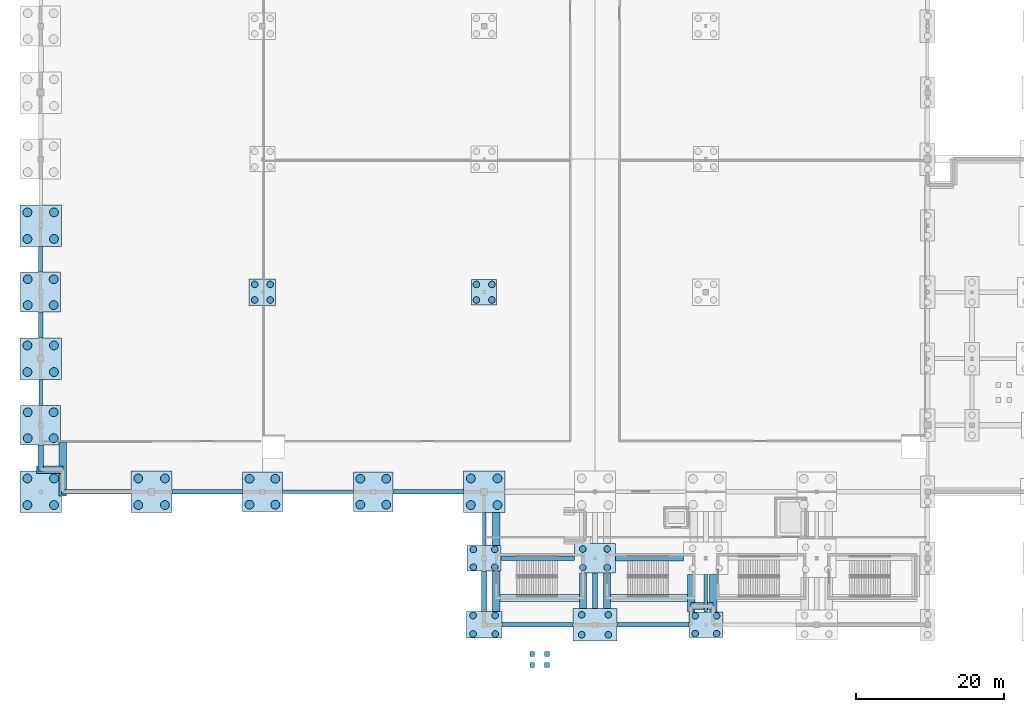
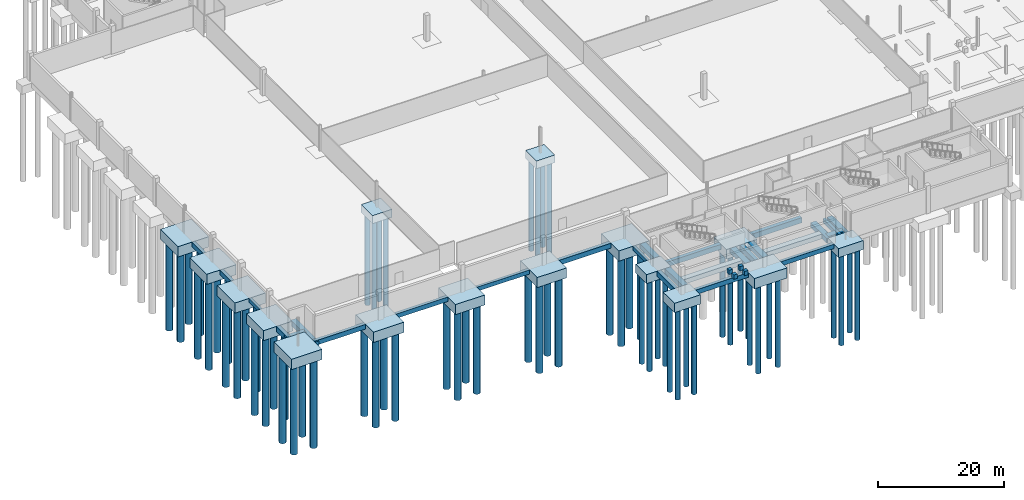
# One storey, part 1 of 58: 64 piles, 47 footings.
"""IFC4 building model written with IfcOpenShell, lengths in metres."""

import ifcopenshell
import ifcopenshell.guid

model = None  # the IFC model being written
_history = None  # IfcOwnerHistory: only IFC2X3 demands one
_inside = {}  # id of a spatial element -> (the spatial element, [elements in it])
_under = {}  # id of a project, library or spatial element -> (it, [spatial elements below it])
_declared = {}  # id of a project -> (the project, [libraries it declares])
_typed = {}  # id of a type object -> (the type object, [elements of that type])
_made_of = {}  # id of a material, layer set ... -> (it, [elements and type objects made of it])


def new_model(schema):
    """Start an empty IFC model of exactly this schema.

    Asked for "IFC4X3", IfcOpenShell would pick the latest addendum, in which some entities
    have other attributes; the version numbers below select the first issue.
    IFC2X3 requires an IfcOwnerHistory on every rooted entity: one is made here for all.
    """
    global model, _history
    if schema == "IFC4X3":
        model = ifcopenshell.file(schema_version=(4, 3, 0, 0))
    else:
        model = ifcopenshell.file(schema=schema)
    _inside.clear()
    _under.clear()
    _declared.clear()
    _typed.clear()
    _made_of.clear()
    _history = None
    if model.schema == "IFC2X3":
        org = make("IfcOrganization", Name="unknown")
        user = make(
            "IfcPersonAndOrganization",
            ThePerson=make("IfcPerson", FamilyName="unknown"),
            TheOrganization=org,
        )
        app = make(
            "IfcApplication",
            ApplicationDeveloper=org,
            Version="unknown",
            ApplicationFullName="unknown",
            ApplicationIdentifier="unknown",
        )
        _history = make(
            "IfcOwnerHistory",
            OwningUser=user,
            OwningApplication=app,
            ChangeAction="ADDED",
            CreationDate=0,
        )
    return model


def make(cls, **values):
    """One entity of the class cls with the attributes given. An attribute that is None is left unset."""
    return model.create_entity(
        cls, **{name: value for name, value in values.items() if value is not None}
    )


def rooted(cls, **values):
    """An entity with a GlobalId (a new one), such as an element, a storey or a relation."""
    return make(cls, GlobalId=ifcopenshell.guid.new(), OwnerHistory=_history, **values)


def si_unit(unit_type, name, prefix=None):
    """IfcSIUnit, for example si_unit("LENGTHUNIT", "METRE", prefix="MILLI")."""
    return make("IfcSIUnit", UnitType=unit_type, Prefix=prefix, Name=name)


def assignment(units):
    """IfcUnitAssignment: the units of a project."""
    return None if units is None else make("IfcUnitAssignment", Units=units)


def point(xyz):
    """IfcCartesianPoint."""
    return None if xyz is None else make("IfcCartesianPoint", Coordinates=xyz)


def direction(xyz):
    """IfcDirection."""
    return None if xyz is None else make("IfcDirection", DirectionRatios=xyz)


def frame(location, z_axis=None, x_axis=None):
    """IfcAxis2Placement3D, a coordinate frame: its origin and axes. An axis left out is left unset."""
    return make(
        "IfcAxis2Placement3D",
        Location=point(location),
        Axis=direction(z_axis),
        RefDirection=direction(x_axis),
    )


def frame_2d(location, x_axis=None):
    """IfcAxis2Placement2D, a coordinate frame in the plane: its origin and x axis."""
    return make(
        "IfcAxis2Placement2D", Location=point(location), RefDirection=direction(x_axis)
    )


def origin():
    """The frame at (0, 0, 0) with its axes left unset."""
    return frame((0.0, 0.0, 0.0))


def origin_2d():
    """The frame at (0, 0) in the plane with its x axis left unset."""
    return frame_2d((0.0, 0.0))


def place(relative_to, where):
    """IfcLocalPlacement: puts the frame where relative to a parent placement (None: the world)."""
    return make(
        "IfcLocalPlacement", PlacementRelTo=relative_to, RelativePlacement=where
    )


def context(
    kind, dimensions, precision=None, world=None, true_north=None, identifier=None
):
    """IfcGeometricRepresentationContext, for example the 3D "Model" context."""
    return make(
        "IfcGeometricRepresentationContext",
        ContextIdentifier=identifier,
        ContextType=kind,
        CoordinateSpaceDimension=dimensions,
        Precision=precision,
        WorldCoordinateSystem=world,
        TrueNorth=true_north,
    )


def subcontext(parent, identifier, kind, view, scale=None):
    """IfcGeometricRepresentationSubContext, for example "Body" below "Model"."""
    return make(
        "IfcGeometricRepresentationSubContext",
        ContextIdentifier=identifier,
        ContextType=kind,
        ParentContext=parent,
        TargetScale=scale,
        TargetView=view,
    )


def project(units=None, contexts=None):
    """IfcProject with its units and contexts."""
    return rooted(
        "IfcProject",
        Name="project",
        RepresentationContexts=contexts,
        UnitsInContext=assignment(units),
    )


def spatial(cls, under=None, at=None, **own):
    """A site, building, storey or space (cls), placed at a placement, below another one or the project."""
    s = rooted(cls, ObjectPlacement=at, **own)
    if under is not None:
        _under.setdefault(under.id(), (under, []))[1].append(s)
    return s


def profile(cls, at=None, kind="AREA", **sizes):
    """A parametric profile (cls). Its sizes go by their IFC names, for example OverallWidth=200.0."""
    return make(cls, ProfileType=kind, Position=at, **sizes)


def rectangle(**sizes):
    """IfcRectangleProfileDef."""
    return profile("IfcRectangleProfileDef", **sizes)


def circle(**sizes):
    """IfcCircleProfileDef."""
    return profile("IfcCircleProfileDef", **sizes)


def extrude(swept, where, along, depth):
    """IfcExtrudedAreaSolid: the profile swept, set in the frame where, extruded along a direction by depth."""
    return make(
        "IfcExtrudedAreaSolid",
        SweptArea=swept,
        Position=where,
        ExtrudedDirection=direction(along),
        Depth=depth,
    )


def shape(context_of_items, identifier, shape_type, items):
    """IfcShapeRepresentation: the items that make up one representation, for example the "Body"."""
    return make(
        "IfcShapeRepresentation",
        ContextOfItems=context_of_items,
        RepresentationIdentifier=identifier,
        RepresentationType=shape_type,
        Items=items,
    )


def material(Name=None, Category=None):
    """IfcMaterial."""
    return make("IfcMaterial", Name=Name, Category=Category)


def material_profile(
    of_material, cross_section, Name=None, Category=None, Priority=None
):
    """IfcMaterialProfile: a cross section and its material."""
    return make(
        "IfcMaterialProfile",
        Name=Name,
        Material=of_material,
        Profile=cross_section,
        Priority=Priority,
        Category=Category,
    )


def profile_set(profiles, Name=None, composite=None):
    """IfcMaterialProfileSet."""
    return make(
        "IfcMaterialProfileSet",
        Name=Name,
        MaterialProfiles=profiles,
        CompositeProfile=composite,
    )


def made_of(thing, what):
    """Note that an element or type object is made of a material, layer set ...; save() writes the relation."""
    if what is not None:
        _made_of.setdefault(what.id(), (what, []))[1].append(thing)
    return thing


def type_object(cls, material=None, **own):
    """A type object (cls), such as IfcWallType, which elements share."""
    return made_of(rooted(cls, **own), material)


def element(
    cls,
    number,
    at=None,
    inside=None,
    cuts=None,
    type_object=None,
    material=None,
    context=None,
    identifier="Body",
    shape_type=None,
    held_by="IfcProductDefinitionShape",
    body=None,
    shapes=None,
    **own,
):
    """One element of the class cls, such as IfcWall. Its Tag is "e" and its number.

    at: its placement. inside: the storey or other place that contains it. cuts: it is an
    opening in that element (IfcRelVoidsElement). A single representation is given by context,
    identifier, shape_type and body (its items); several are given by shapes. held_by: the class
    of the entity that holds the representations. save() writes the other relations.
    """
    e = rooted(cls, Tag="e%d" % number, ObjectPlacement=at, **own)
    if body is not None:
        shapes = [shape(context, identifier, shape_type, body)]
    if shapes is not None:
        e.Representation = make(held_by, Representations=shapes)
    if inside is not None:
        _inside.setdefault(inside.id(), (inside, []))[1].append(e)
    if cuts is not None:
        rooted(
            "IfcRelVoidsElement", RelatingBuildingElement=cuts, RelatedOpeningElement=e
        )
    if type_object is not None:
        _typed.setdefault(type_object.id(), (type_object, []))[1].append(e)
    return made_of(e, material)


def aggregate(whole, parts):
    """IfcRelAggregates: a whole, such as a stair, and the parts it consists of."""
    return rooted("IfcRelAggregates", RelatingObject=whole, RelatedObjects=parts)


def save(model, path):
    """Write the relations noted so far, then the file.

    IfcRelAggregates (storeys below a building ...), IfcRelContainedInSpatialStructure (elements
    in a storey), IfcRelDefinesByType, IfcRelAssociatesMaterial and IfcRelDeclares: one each for
    every whole, place, type object, material and project.
    """
    for whole, parts in _under.values():
        aggregate(whole, parts)
    for where, things in _inside.values():
        rooted(
            "IfcRelContainedInSpatialStructure",
            RelatedElements=things,
            RelatingStructure=where,
        )
    for kind, things in _typed.values():
        rooted("IfcRelDefinesByType", RelatedObjects=things, RelatingType=kind)
    for what, things in _made_of.values():
        rooted("IfcRelAssociatesMaterial", RelatedObjects=things, RelatingMaterial=what)
    for by, libraries in _declared.values():
        rooted("IfcRelDeclares", RelatingContext=by, RelatedDefinitions=libraries)
    model.write(path)


model = new_model("IFC4")

# Units and contexts
model_context = context("Model", 3, precision=1e-05, world=origin(), true_north=direction((0.0, 1.0)))
body_context = subcontext(model_context, "Body", "Model", "MODEL_VIEW")
ifc_project = project(units=[si_unit("LENGTHUNIT", "METRE"), si_unit("AREAUNIT", "SQUARE_METRE"), si_unit("VOLUMEUNIT", "CUBIC_METRE"), si_unit("PLANEANGLEUNIT", "RADIAN"), si_unit("MASSUNIT", "GRAM", prefix="KILO")], contexts=[model_context])

# Site, building, storey
site_placement = place(None, origin())
site = spatial("IfcSite", under=ifc_project, at=site_placement, CompositionType="ELEMENT")
building_placement = place(site_placement, origin())
building = spatial("IfcBuilding", under=site, at=building_placement, Name="Qamarlyn Nura Convention Centre", CompositionType="ELEMENT")
storey_placement = place(building_placement, frame((0.0, 0.0, -5.39990234375)))
storey = spatial("IfcBuildingStorey", under=building, at=storey_placement, Name="B01", CompositionType="ELEMENT", Elevation=-5.39990234375)

# Footings
ifc_material = material(Name="Concrete C40/50", Category="concrete")
ifc_material_profile_1 = material_profile(ifc_material, rectangle(XDim=0.449951171875, YDim=0.75, at=origin_2d()), Name="RC GB 450x750")
ifc_profile_set_1 = profile_set([ifc_material_profile_1], Name="Concrete C40/50")
footing_type_1 = type_object("IfcFootingType", Name="GB-450X750", PredefinedType="FOOTING_BEAM", material=ifc_profile_set_1)
footing_1_placement = place(storey_placement, frame((0.0, 29.699951171875, -0.375), z_axis=(0.0, 1.0, 0.0), x_axis=(-1.0, 0.0, 0.0)))
element("IfcFooting", 1, at=footing_1_placement, inside=storey, type_object=footing_type_1, Name="Ground tie beam 1 D-E", PredefinedType="FOOTING_BEAM", context=body_context, shape_type="SweptSolid", body=[
    extrude(rectangle(XDim=0.449951171875, YDim=0.75, at=origin_2d()), origin(), (0.0, 0.0, 1.0), 3.5),
])
footing_2_placement = place(storey_placement, frame((60.0, 10.699951171875, -0.375), z_axis=(0.0, 1.0, 0.0), x_axis=(-1.0, 0.0, 0.0)))
element("IfcFooting", 2, at=footing_2_placement, inside=storey, type_object=footing_type_1, Name="Ground tie beam 5 B-C", PredefinedType="FOOTING_BEAM", context=body_context, shape_type="SweptSolid", body=[
    extrude(rectangle(XDim=0.449951171875, YDim=0.75, at=origin_2d()), origin(), (0.0, 0.0, 1.0), 4.5),
])
ifc_material_profile_2 = material_profile(ifc_material, rectangle(XDim=0.5, YDim=0.800048828125, at=origin_2d()), Name="RC GB 500x800")
ifc_profile_set_2 = profile_set([ifc_material_profile_2], Name="Concrete C40/50")
footing_type_2 = type_object("IfcFootingType", Name="GB-500X800", PredefinedType="FOOTING_BEAM", material=ifc_profile_set_2)
footing_3_placement = place(storey_placement, frame((32.699951171875, 18.0, -0.400146484375), z_axis=(1.0, 0.0, 0.0), x_axis=(0.0, 1.0, 0.0)))
element("IfcFooting", 3, at=footing_3_placement, inside=storey, type_object=footing_type_2, Name="Ground tie beam C 3-4", PredefinedType="FOOTING_BEAM", context=body_context, shape_type="SweptSolid", body=[
    extrude(rectangle(XDim=0.5, YDim=0.800048828125, at=origin_2d()), origin(), (0.0, 0.0, 1.0), 9.60009765625),
])
footing_4_placement = place(storey_placement, frame((90.0, 1.699951171875, -0.400146484375), z_axis=(0.0, 1.0, 0.0), x_axis=(-1.0, 0.0, 0.0)))
element("IfcFooting", 4, at=footing_4_placement, inside=storey, type_object=footing_type_2, Name="Ground tie beam 7 A-B", PredefinedType="FOOTING_BEAM", context=body_context, shape_type="SweptSolid", body=[
    extrude(rectangle(XDim=0.5, YDim=0.800048828125, at=origin_2d()), origin(), (0.0, 0.0, 1.0), 5.10009765625),
])
ifc_material_profile_3 = material_profile(ifc_material, rectangle(XDim=0.550048828125, YDim=0.85009765625, at=origin_2d()), Name="RC GB 550x850")
ifc_profile_set_3 = profile_set([ifc_material_profile_3], Name="Concrete C40/50")
footing_type_3 = type_object("IfcFootingType", Name="GB-550X850", PredefinedType="FOOTING_BEAM", material=ifc_profile_set_3)
footing_5_placement = place(storey_placement, frame((78.0, 0.0, -0.425048828125), z_axis=(1.0, 0.0, 0.0), x_axis=(0.0, 1.0, 0.0)))
element("IfcFooting", 5, at=footing_5_placement, inside=storey, type_object=footing_type_3, Name="Ground tie beam A 6-7", PredefinedType="FOOTING_BEAM", context=body_context, shape_type="SweptSolid", body=[
    extrude(rectangle(XDim=0.550048828125, YDim=0.85009765625, at=origin_2d()), origin(), (0.0, 0.0, 1.0), 9.699951171875),
])
footing_6_placement = place(storey_placement, frame((17.800048828125, 18.0, -0.425048828125), z_axis=(1.0, 0.0, 0.0), x_axis=(0.0, 1.0, 0.0)))
element("IfcFooting", 6, at=footing_6_placement, inside=storey, type_object=footing_type_3, Name="Ground tie beam C 2-3", PredefinedType="FOOTING_BEAM", context=body_context, shape_type="SweptSolid", body=[
    extrude(rectangle(XDim=0.550048828125, YDim=0.85009765625, at=origin_2d()), origin(), (0.0, 0.0, 1.0), 9.5),
])
footing_7_placement = place(storey_placement, frame((0.0, 47.699951171875, -0.425048828125), z_axis=(0.0, 1.0, 0.0), x_axis=(-1.0, 0.0, 0.0)))
element("IfcFooting", 7, at=footing_7_placement, inside=storey, type_object=footing_type_3, Name="Ground tie beam 1 F-G", PredefinedType="FOOTING_BEAM", context=body_context, shape_type="SweptSolid", body=[
    extrude(rectangle(XDim=0.550048828125, YDim=0.85009765625, at=origin_2d()), origin(), (0.0, 0.0, 1.0), 3.5),
])
ifc_material_profile_4 = material_profile(ifc_material, rectangle(XDim=0.60009765625, YDim=0.89990234375, at=origin_2d()), Name="RC GB 600x900")
ifc_profile_set_4 = profile_set([ifc_material_profile_4], Name="Concrete C40/50")
footing_type_4 = type_object("IfcFootingType", Name="GB-600X900", PredefinedType="FOOTING_BEAM", material=ifc_profile_set_4)
footing_8_placement = place(storey_placement, frame((62.39990234375, 0.0, -0.4501953125), z_axis=(1.0, 0.0, 0.0), x_axis=(0.0, 1.0, 0.0)))
element("IfcFooting", 8, at=footing_8_placement, inside=storey, type_object=footing_type_4, Name="Ground tie beam A 5-6", PredefinedType="FOOTING_BEAM", context=body_context, shape_type="SweptSolid", body=[
    extrude(rectangle(XDim=0.60009765625, YDim=0.89990234375, at=origin_2d()), origin(), (0.0, 0.0, 1.0), 9.60009765625),
])
footing_9_placement = place(storey_placement, frame((2.800048828125, 18.0, -0.4501953125), z_axis=(1.0, 0.0, 0.0), x_axis=(0.0, 1.0, 0.0)))
element("IfcFooting", 9, at=footing_9_placement, inside=storey, type_object=footing_type_4, Name="Ground tie beam C 1-2", PredefinedType="FOOTING_BEAM", context=body_context, shape_type="SweptSolid", body=[
    extrude(rectangle(XDim=0.60009765625, YDim=0.89990234375, at=origin_2d()), origin(), (0.0, 0.0, 1.0), 9.39990234375),
])
footing_10_placement = place(storey_placement, frame((0.0, 38.800048828125, -0.4501953125), z_axis=(0.0, 1.0, 0.0), x_axis=(-1.0, 0.0, 0.0)))
element("IfcFooting", 10, at=footing_10_placement, inside=storey, type_object=footing_type_4, Name="Ground tie beam 1 E-F", PredefinedType="FOOTING_BEAM", context=body_context, shape_type="SweptSolid", body=[
    extrude(rectangle(XDim=0.60009765625, YDim=0.89990234375, at=origin_2d()), origin(), (0.0, 0.0, 1.0), 3.5),
])
ifc_material_profile_5 = material_profile(ifc_material, rectangle(XDim=0.64990234375, YDim=0.949951171875, at=origin_2d()), Name="RC GB 650x950")
ifc_profile_set_5 = profile_set([ifc_material_profile_5], Name="Concrete C40/50")
footing_type_5 = type_object("IfcFootingType", Name="GB-650X950", PredefinedType="FOOTING_BEAM", material=ifc_profile_set_5)
footing_11_placement = place(storey_placement, frame((62.300048828125, 9.0, -0.47509765625), z_axis=(1.0, 0.0, 0.0), x_axis=(0.0, 1.0, 0.0)))
element("IfcFooting", 11, at=footing_11_placement, inside=storey, type_object=footing_type_5, Name="Ground tie beam B 5-6", PredefinedType="FOOTING_BEAM", context=body_context, shape_type="SweptSolid", body=[
    extrude(rectangle(XDim=0.64990234375, YDim=0.949951171875, at=origin_2d()), origin(), (0.0, 0.0, 1.0), 9.89990234375),
])
footing_12_placement = place(storey_placement, frame((47.699951171875, 18.0, -0.47509765625), z_axis=(1.0, 0.0, 0.0), x_axis=(0.0, 1.0, 0.0)))
element("IfcFooting", 12, at=footing_12_placement, inside=storey, type_object=footing_type_5, Name="Ground tie beam C 4-5", PredefinedType="FOOTING_BEAM", context=body_context, shape_type="SweptSolid", body=[
    extrude(rectangle(XDim=0.64990234375, YDim=0.949951171875, at=origin_2d()), origin(), (0.0, 0.0, 1.0), 9.5),
])
footing_13_placement = place(storey_placement, frame((75.0, 2.199951171875, -0.47509765625), z_axis=(0.0, 1.0, 0.0), x_axis=(-1.0, 0.0, 0.0)))
element("IfcFooting", 13, at=footing_13_placement, inside=storey, type_object=footing_type_5, Name="Ground tie beam 6 A-B", PredefinedType="FOOTING_BEAM", context=body_context, shape_type="SweptSolid", body=[
    extrude(rectangle(XDim=0.64990234375, YDim=0.949951171875, at=origin_2d()), origin(), (0.0, 0.0, 1.0), 4.800048828125),
])
ifc_material_profile_6 = material_profile(ifc_material, rectangle(XDim=0.699951171875, YDim=1.0, at=origin_2d()), Name="RC GB 700x1000")
ifc_profile_set_6 = profile_set([ifc_material_profile_6], Name="Concrete C40/50")
footing_type_6 = type_object("IfcFootingType", Name="GB-700X1000", PredefinedType="FOOTING_BEAM", material=ifc_profile_set_6)
footing_14_placement = place(storey_placement, frame((77.800048828125, 9.0, -0.5), z_axis=(1.0, 0.0, 0.0), x_axis=(0.0, 1.0, 0.0)))
element("IfcFooting", 14, at=footing_14_placement, inside=storey, type_object=footing_type_6, Name="Ground tie beam B 6-7", PredefinedType="FOOTING_BEAM", context=body_context, shape_type="SweptSolid", body=[
    extrude(rectangle(XDim=0.699951171875, YDim=1.0, at=origin_2d()), origin(), (0.0, 0.0, 1.0), 9.199951171875),
])
footing_15_placement = place(storey_placement, frame((0.0, 20.800048828125, -0.5), z_axis=(0.0, 1.0, 0.0), x_axis=(-1.0, 0.0, 0.0)))
element("IfcFooting", 15, at=footing_15_placement, inside=storey, type_object=footing_type_6, Name="Ground tie beam 1 C-D", PredefinedType="FOOTING_BEAM", context=body_context, shape_type="SweptSolid", body=[
    extrude(rectangle(XDim=0.699951171875, YDim=1.0, at=origin_2d()), origin(), (0.0, 0.0, 1.0), 3.5),
])
footing_16_placement = place(storey_placement, frame((60.0, 1.800048828125, -0.5), z_axis=(0.0, 1.0, 0.0), x_axis=(-1.0, 0.0, 0.0)))
element("IfcFooting", 16, at=footing_16_placement, inside=storey, type_object=footing_type_6, Name="Ground tie beam 5 A-B", PredefinedType="FOOTING_BEAM", context=body_context, shape_type="SweptSolid", body=[
    extrude(rectangle(XDim=0.699951171875, YDim=1.0, at=origin_2d()), origin(), (0.0, 0.0, 1.0), 5.5),
])
footing_type_7 = type_object("IfcFootingType", Name="PC-CORE-56X40", PredefinedType="PILE_CAP", material=ifc_material)
footing_17_placement = place(storey_placement, frame((75.0, 9.0, -1.900146484375), z_axis=(0.0, 0.0, 1.0), x_axis=(1.0, 0.0, 0.0)))
element("IfcFooting", 17, at=footing_17_placement, inside=storey, type_object=footing_type_7, Name="Pile cap CAP-6-B", PredefinedType="PILE_CAP", context=body_context, shape_type="SweptSolid", body=[
    extrude(rectangle(XDim=5.60009765625, YDim=4.0, at=origin_2d()), origin(), (0.0, 0.0, 1.0), 1.89990234375),
])
footing_type_8 = type_object("IfcFootingType", Name="PC-CORE-60X44", PredefinedType="PILE_CAP", material=ifc_material)
footing_18_placement = place(storey_placement, frame((75.0, 0.0, -2.0), z_axis=(0.0, 0.0, 1.0), x_axis=(1.0, 0.0, 0.0)))
element("IfcFooting", 18, at=footing_18_placement, inside=storey, type_object=footing_type_8, Name="Pile cap CAP-6-A", PredefinedType="PILE_CAP", context=body_context, shape_type="SweptSolid", body=[
    extrude(rectangle(XDim=6.0, YDim=4.39990234375, at=origin_2d()), origin(), (0.0, 0.0, 1.0), 2.0),
])
footing_type_9 = type_object("IfcFootingType", Name="PC-MEGA-54", PredefinedType="PILE_CAP", material=ifc_material)
for number, where, z_axis, x_axis, name in (
    (19, (0.0, 27.0, -1.9501953125), (0.0, 0.0, 1.0), (1.0, 0.0, 0.0), "Pile cap CAP-1-D"),
    (20, (0.0, 45.0, -1.9501953125), (0.0, 0.0, 1.0), (1.0, 0.0, 0.0), "Pile cap CAP-1-F"),
    (21, (30.0, 18.0, -1.9501953125), (0.0, 0.0, 1.0), (1.0, 0.0, 0.0), "Pile cap CAP-3-C"),
    (22, (45.0, 18.0, -1.9501953125), (0.0, 0.0, 1.0), (1.0, 0.0, 0.0), "Pile cap CAP-4-C"),
):
    element("IfcFooting", number, at=place(storey_placement, frame(where, z_axis=z_axis, x_axis=x_axis)), inside=storey, type_object=footing_type_9, Name=name, PredefinedType="PILE_CAP", context=body_context, shape_type="SweptSolid", body=[
        extrude(rectangle(XDim=5.39990234375, YDim=5.39990234375, at=origin_2d()), origin(), (0.0, 0.0, 1.0), 1.949951171875),
    ])
footing_type_10 = type_object("IfcFootingType", Name="PC-MEGA-56", PredefinedType="PILE_CAP", material=ifc_material)
for number, where, z_axis, x_axis, name in (
    (23, (0.0, 18.0, -2.0), (0.0, 0.0, 1.0), (1.0, 0.0, 0.0), "Pile cap CAP-1-C"),
    (24, (0.0, 36.0, -2.0), (0.0, 0.0, 1.0), (1.0, 0.0, 0.0), "Pile cap CAP-1-E"),
    (25, (0.0, 54.0, -2.0), (0.0, 0.0, 1.0), (1.0, 0.0, 0.0), "Pile cap CAP-1-G"),
    (26, (15.0, 18.0, -2.0), (0.0, 0.0, 1.0), (1.0, 0.0, 0.0), "Pile cap CAP-2-C"),
    (27, (60.0, 18.0, -2.0), (0.0, 0.0, 1.0), (1.0, 0.0, 0.0), "Pile cap CAP-5-C"),
):
    element("IfcFooting", number, at=place(storey_placement, frame(where, z_axis=z_axis, x_axis=x_axis)), inside=storey, type_object=footing_type_10, Name=name, PredefinedType="PILE_CAP", context=body_context, shape_type="SweptSolid", body=[
        extrude(rectangle(XDim=5.60009765625, YDim=5.60009765625, at=origin_2d()), origin(), (0.0, 0.0, 1.0), 2.0),
    ])
footing_type_11 = type_object("IfcFootingType", Name="PC-RECT-46X34", PredefinedType="PILE_CAP", material=ifc_material)
for number, where, z_axis, x_axis, name in (
    (28, (60.0, 9.0, -1.75), (0.0, 0.0, 1.0), (1.0, 0.0, 0.0), "Pile cap CAP-5-B"),
    (29, (90.0, 0.0, -1.75), (0.0, 0.0, 1.0), (1.0, 0.0, 0.0), "Pile cap CAP-7-A"),
):
    element("IfcFooting", number, at=place(storey_placement, frame(where, z_axis=z_axis, x_axis=x_axis)), inside=storey, type_object=footing_type_11, Name=name, PredefinedType="PILE_CAP", context=body_context, shape_type="SweptSolid", body=[
        extrude(rectangle(XDim=4.60009765625, YDim=3.39990234375, at=origin_2d()), origin(), (0.0, 0.0, 1.0), 1.75),
    ])
footing_type_12 = type_object("IfcFootingType", Name="PC-RECT-48X36", PredefinedType="PILE_CAP", material=ifc_material)
footing_19_placement = place(storey_placement, frame((60.0, 0.0, -1.80029296875), z_axis=(0.0, 0.0, 1.0), x_axis=(1.0, 0.0, 0.0)))
element("IfcFooting", 30, at=footing_19_placement, inside=storey, type_object=footing_type_12, Name="Pile cap CAP-5-A", PredefinedType="PILE_CAP", context=body_context, shape_type="SweptSolid", body=[
    extrude(rectangle(XDim=4.800048828125, YDim=3.60009765625, at=origin_2d()), origin(), (0.0, 0.0, 1.0), 1.800048828125),
])
footing_type_13 = type_object("IfcFootingType", Name="PC-SUB-34X34", PredefinedType="PILE_CAP", material=ifc_material)
footing_20_placement = place(storey_placement, frame((60.0, 45.0, -1.5), z_axis=(0.0, 0.0, 1.0), x_axis=(1.0, 0.0, 0.0)))
element("IfcFooting", 31, at=footing_20_placement, inside=storey, type_object=footing_type_13, Name="Pile cap CAP-5-F", PredefinedType="PILE_CAP", context=body_context, shape_type="SweptSolid", body=[
    extrude(rectangle(XDim=3.39990234375, YDim=3.39990234375, at=origin_2d()), origin(), (0.0, 0.0, 1.0), 1.5),
])
footing_type_14 = type_object("IfcFootingType", Name="PC-SUB-36X36", PredefinedType="PILE_CAP", material=ifc_material)
footing_21_placement = place(storey_placement, frame((30.0, 45.0, -1.55029296875), z_axis=(0.0, 0.0, 1.0), x_axis=(1.0, 0.0, 0.0)))
element("IfcFooting", 32, at=footing_21_placement, inside=storey, type_object=footing_type_14, Name="Pile cap CAP-3-F", PredefinedType="PILE_CAP", context=body_context, shape_type="SweptSolid", body=[
    extrude(rectangle(XDim=3.60009765625, YDim=3.60009765625, at=origin_2d()), origin(), (0.0, 0.0, 1.0), 1.550048828125),
])
footing_type_15 = type_object("IfcFootingType", Name="PF-RAMP-070", PredefinedType="PAD_FOOTING", material=ifc_material)
for number, where, z_axis, x_axis, name in (
    (33, (66.5, -5.449951171875, 4.0498046875), (0.0, 0.0, 1.0), (1.0, 0.0, 0.0), "Entrance ramp corner pad footing PR-03-1"),
    (34, (68.5, -5.449951171875, 4.0498046875), (0.0, 0.0, 1.0), (1.0, 0.0, 0.0), "Entrance ramp corner pad footing PR-03-2"),
    (35, (66.5, -3.949951171875, 4.0498046875), (0.0, 0.0, 1.0), (1.0, 0.0, 0.0), "Entrance ramp corner pad footing PR-03-3"),
    (36, (68.5, -3.949951171875, 4.0498046875), (0.0, 0.0, 1.0), (1.0, 0.0, 0.0), "Entrance ramp corner pad footing PR-03-4"),
):
    element("IfcFooting", number, at=place(storey_placement, frame(where, z_axis=z_axis, x_axis=x_axis)), inside=storey, type_object=footing_type_15, Name=name, PredefinedType="PAD_FOOTING", context=body_context, shape_type="SweptSolid", body=[
        extrude(rectangle(XDim=0.64990234375, YDim=0.64990234375, at=origin_2d()), origin(), (0.0, 0.0, 1.0), 0.85009765625),
    ])

# Piles
ifc_material_profile_7 = material_profile(ifc_material, circle(Radius=0.60009765625, at=origin_2d()), Name="BORED PILE 1200")
ifc_profile_set_7 = profile_set([ifc_material_profile_7], Name="Concrete C40/50")
pile_type_1 = type_object("IfcPileType", Name="PILE-1200", PredefinedType="BORED", material=ifc_profile_set_7)
for number, where, z_axis, x_axis, name in (
    (37, (-1.800048828125, 16.199951171875, -1.85009765625), (0.0, 0.0, -1.0), (1.0, 0.0, 0.0), "Bored pile PILE-1-C-1"),
    (38, (1.800048828125, 16.199951171875, -1.85009765625), (0.0, 0.0, -1.0), (1.0, 0.0, 0.0), "Bored pile PILE-1-C-2"),
    (39, (-1.800048828125, 19.800048828125, -1.85009765625), (0.0, 0.0, -1.0), (1.0, 0.0, 0.0), "Bored pile PILE-1-C-3"),
    (40, (1.800048828125, 19.800048828125, -1.85009765625), (0.0, 0.0, -1.0), (1.0, 0.0, 0.0), "Bored pile PILE-1-C-4"),
):
    element("IfcPile", number, at=place(storey_placement, frame(where, z_axis=z_axis, x_axis=x_axis)), inside=storey, type_object=pile_type_1, Name=name, PredefinedType="BORED", context=body_context, shape_type="SweptSolid", body=[
        extrude(circle(Radius=0.60009765625, at=origin_2d()), origin(), (0.0, 0.0, 1.0), 17.25),
    ])
for number, where, z_axis, x_axis, name in (
    (41, (-1.75, 25.25, -1.800048828125), (0.0, 0.0, -1.0), (1.0, 0.0, 0.0), "Bored pile PILE-1-D-1"),
    (42, (1.75, 25.25, -1.800048828125), (0.0, 0.0, -1.0), (1.0, 0.0, 0.0), "Bored pile PILE-1-D-2"),
    (43, (-1.75, 28.75, -1.800048828125), (0.0, 0.0, -1.0), (1.0, 0.0, 0.0), "Bored pile PILE-1-D-3"),
    (44, (1.75, 28.75, -1.800048828125), (0.0, 0.0, -1.0), (1.0, 0.0, 0.0), "Bored pile PILE-1-D-4"),
):
    element("IfcPile", number, at=place(storey_placement, frame(where, z_axis=z_axis, x_axis=x_axis)), inside=storey, type_object=pile_type_1, Name=name, PredefinedType="BORED", context=body_context, shape_type="SweptSolid", body=[
        extrude(circle(Radius=0.60009765625, at=origin_2d()), origin(), (0.0, 0.0, 1.0), 17.300048828125),
    ])
for number, where, z_axis, x_axis, name in (
    (45, (-1.800048828125, 34.199951171875, -1.85009765625), (0.0, 0.0, -1.0), (1.0, 0.0, 0.0), "Bored pile PILE-1-E-1"),
    (46, (1.800048828125, 34.199951171875, -1.85009765625), (0.0, 0.0, -1.0), (1.0, 0.0, 0.0), "Bored pile PILE-1-E-2"),
    (47, (-1.800048828125, 37.800048828125, -1.85009765625), (0.0, 0.0, -1.0), (1.0, 0.0, 0.0), "Bored pile PILE-1-E-3"),
    (48, (1.800048828125, 37.800048828125, -1.85009765625), (0.0, 0.0, -1.0), (1.0, 0.0, 0.0), "Bored pile PILE-1-E-4"),
):
    element("IfcPile", number, at=place(storey_placement, frame(where, z_axis=z_axis, x_axis=x_axis)), inside=storey, type_object=pile_type_1, Name=name, PredefinedType="BORED", context=body_context, shape_type="SweptSolid", body=[
        extrude(circle(Radius=0.60009765625, at=origin_2d()), origin(), (0.0, 0.0, 1.0), 17.25),
    ])
for number, where, z_axis, x_axis, name in (
    (49, (-1.75, 43.25, -1.800048828125), (0.0, 0.0, -1.0), (1.0, 0.0, 0.0), "Bored pile PILE-1-F-1"),
    (50, (1.75, 43.25, -1.800048828125), (0.0, 0.0, -1.0), (1.0, 0.0, 0.0), "Bored pile PILE-1-F-2"),
    (51, (-1.75, 46.75, -1.800048828125), (0.0, 0.0, -1.0), (1.0, 0.0, 0.0), "Bored pile PILE-1-F-3"),
    (52, (1.75, 46.75, -1.800048828125), (0.0, 0.0, -1.0), (1.0, 0.0, 0.0), "Bored pile PILE-1-F-4"),
):
    element("IfcPile", number, at=place(storey_placement, frame(where, z_axis=z_axis, x_axis=x_axis)), inside=storey, type_object=pile_type_1, Name=name, PredefinedType="BORED", context=body_context, shape_type="SweptSolid", body=[
        extrude(circle(Radius=0.60009765625, at=origin_2d()), origin(), (0.0, 0.0, 1.0), 17.300048828125),
    ])
for number, where, z_axis, x_axis, name in (
    (53, (-1.800048828125, 52.199951171875, -1.85009765625), (0.0, 0.0, -1.0), (1.0, 0.0, 0.0), "Bored pile PILE-1-G-1"),
    (54, (1.800048828125, 52.199951171875, -1.85009765625), (0.0, 0.0, -1.0), (1.0, 0.0, 0.0), "Bored pile PILE-1-G-2"),
    (55, (-1.800048828125, 55.800048828125, -1.85009765625), (0.0, 0.0, -1.0), (1.0, 0.0, 0.0), "Bored pile PILE-1-G-3"),
    (56, (1.800048828125, 55.800048828125, -1.85009765625), (0.0, 0.0, -1.0), (1.0, 0.0, 0.0), "Bored pile PILE-1-G-4"),
    (57, (13.199951171875, 16.199951171875, -1.85009765625), (0.0, 0.0, -1.0), (1.0, 0.0, 0.0), "Bored pile PILE-2-C-1"),
    (58, (16.800048828125, 16.199951171875, -1.85009765625), (0.0, 0.0, -1.0), (1.0, 0.0, 0.0), "Bored pile PILE-2-C-2"),
    (59, (13.199951171875, 19.800048828125, -1.85009765625), (0.0, 0.0, -1.0), (1.0, 0.0, 0.0), "Bored pile PILE-2-C-3"),
    (60, (16.800048828125, 19.800048828125, -1.85009765625), (0.0, 0.0, -1.0), (1.0, 0.0, 0.0), "Bored pile PILE-2-C-4"),
):
    element("IfcPile", number, at=place(storey_placement, frame(where, z_axis=z_axis, x_axis=x_axis)), inside=storey, type_object=pile_type_1, Name=name, PredefinedType="BORED", context=body_context, shape_type="SweptSolid", body=[
        extrude(circle(Radius=0.60009765625, at=origin_2d()), origin(), (0.0, 0.0, 1.0), 17.25),
    ])
for number, where, z_axis, x_axis, name in (
    (61, (28.25, 16.25, -1.800048828125), (0.0, 0.0, -1.0), (1.0, 0.0, 0.0), "Bored pile PILE-3-C-1"),
    (62, (31.75, 16.25, -1.800048828125), (0.0, 0.0, -1.0), (1.0, 0.0, 0.0), "Bored pile PILE-3-C-2"),
    (63, (28.25, 19.75, -1.800048828125), (0.0, 0.0, -1.0), (1.0, 0.0, 0.0), "Bored pile PILE-3-C-3"),
    (64, (31.75, 19.75, -1.800048828125), (0.0, 0.0, -1.0), (1.0, 0.0, 0.0), "Bored pile PILE-3-C-4"),
    (65, (43.25, 16.25, -1.800048828125), (0.0, 0.0, -1.0), (1.0, 0.0, 0.0), "Bored pile PILE-4-C-1"),
    (66, (46.75, 16.25, -1.800048828125), (0.0, 0.0, -1.0), (1.0, 0.0, 0.0), "Bored pile PILE-4-C-2"),
    (67, (43.25, 19.75, -1.800048828125), (0.0, 0.0, -1.0), (1.0, 0.0, 0.0), "Bored pile PILE-4-C-3"),
    (68, (46.75, 19.75, -1.800048828125), (0.0, 0.0, -1.0), (1.0, 0.0, 0.0), "Bored pile PILE-4-C-4"),
):
    element("IfcPile", number, at=place(storey_placement, frame(where, z_axis=z_axis, x_axis=x_axis)), inside=storey, type_object=pile_type_1, Name=name, PredefinedType="BORED", context=body_context, shape_type="SweptSolid", body=[
        extrude(circle(Radius=0.60009765625, at=origin_2d()), origin(), (0.0, 0.0, 1.0), 17.300048828125),
    ])
for number, where, z_axis, x_axis, name in (
    (69, (58.199951171875, 16.199951171875, -1.85009765625), (0.0, 0.0, -1.0), (1.0, 0.0, 0.0), "Bored pile PILE-5-C-1"),
    (70, (61.800048828125, 16.199951171875, -1.85009765625), (0.0, 0.0, -1.0), (1.0, 0.0, 0.0), "Bored pile PILE-5-C-2"),
    (71, (58.199951171875, 19.800048828125, -1.85009765625), (0.0, 0.0, -1.0), (1.0, 0.0, 0.0), "Bored pile PILE-5-C-3"),
    (72, (61.800048828125, 19.800048828125, -1.85009765625), (0.0, 0.0, -1.0), (1.0, 0.0, 0.0), "Bored pile PILE-5-C-4"),
):
    element("IfcPile", number, at=place(storey_placement, frame(where, z_axis=z_axis, x_axis=x_axis)), inside=storey, type_object=pile_type_1, Name=name, PredefinedType="BORED", context=body_context, shape_type="SweptSolid", body=[
        extrude(circle(Radius=0.60009765625, at=origin_2d()), origin(), (0.0, 0.0, 1.0), 17.25),
    ])
ifc_material_profile_8 = material_profile(ifc_material, circle(Radius=0.449951171875, at=origin_2d()), Name="BORED PILE 900")
ifc_profile_set_8 = profile_set([ifc_material_profile_8], Name="Concrete C40/50")
pile_type_2 = type_object("IfcPileType", Name="PILE-900", PredefinedType="BORED", material=ifc_profile_set_8)
for number, where, z_axis, x_axis, name in (
    (73, (28.949951171875, 43.949951171875, -1.400146484375), (0.0, 0.0, -1.0), (1.0, 0.0, 0.0), "Bored pile PILE-3-F-1"),
    (74, (31.050048828125, 43.949951171875, -1.400146484375), (0.0, 0.0, -1.0), (1.0, 0.0, 0.0), "Bored pile PILE-3-F-2"),
    (75, (28.949951171875, 46.050048828125, -1.400146484375), (0.0, 0.0, -1.0), (1.0, 0.0, 0.0), "Bored pile PILE-3-F-3"),
    (76, (31.050048828125, 46.050048828125, -1.400146484375), (0.0, 0.0, -1.0), (1.0, 0.0, 0.0), "Bored pile PILE-3-F-4"),
):
    element("IfcPile", number, at=place(storey_placement, frame(where, z_axis=z_axis, x_axis=x_axis)), inside=storey, type_object=pile_type_2, Name=name, PredefinedType="BORED", context=body_context, shape_type="SweptSolid", body=[
        extrude(circle(Radius=0.449951171875, at=origin_2d()), origin(), (0.0, 0.0, 1.0), 17.699951171875),
    ])
for number, where, z_axis, x_axis, name in (
    (77, (58.5, -1.25, -1.650146484375), (0.0, 0.0, -1.0), (1.0, 0.0, 0.0), "Bored pile PILE-5-A-1"),
    (78, (61.5, -1.25, -1.650146484375), (0.0, 0.0, -1.0), (1.0, 0.0, 0.0), "Bored pile PILE-5-A-2"),
    (79, (58.5, 1.25, -1.650146484375), (0.0, 0.0, -1.0), (1.0, 0.0, 0.0), "Bored pile PILE-5-A-3"),
    (80, (61.5, 1.25, -1.650146484375), (0.0, 0.0, -1.0), (1.0, 0.0, 0.0), "Bored pile PILE-5-A-4"),
):
    element("IfcPile", number, at=place(storey_placement, frame(where, z_axis=z_axis, x_axis=x_axis)), inside=storey, type_object=pile_type_2, Name=name, PredefinedType="BORED", context=body_context, shape_type="SweptSolid", body=[
        extrude(circle(Radius=0.449951171875, at=origin_2d()), origin(), (0.0, 0.0, 1.0), 17.449951171875),
    ])
for number, where, z_axis, x_axis, name in (
    (81, (58.550048828125, 7.800048828125, -1.60009765625), (0.0, 0.0, -1.0), (1.0, 0.0, 0.0), "Bored pile PILE-5-B-1"),
    (82, (61.449951171875, 7.800048828125, -1.60009765625), (0.0, 0.0, -1.0), (1.0, 0.0, 0.0), "Bored pile PILE-5-B-2"),
    (83, (58.550048828125, 10.199951171875, -1.60009765625), (0.0, 0.0, -1.0), (1.0, 0.0, 0.0), "Bored pile PILE-5-B-3"),
    (84, (61.449951171875, 10.199951171875, -1.60009765625), (0.0, 0.0, -1.0), (1.0, 0.0, 0.0), "Bored pile PILE-5-B-4"),
):
    element("IfcPile", number, at=place(storey_placement, frame(where, z_axis=z_axis, x_axis=x_axis)), inside=storey, type_object=pile_type_2, Name=name, PredefinedType="BORED", context=body_context, shape_type="SweptSolid", body=[
        extrude(circle(Radius=0.449951171875, at=origin_2d()), origin(), (0.0, 0.0, 1.0), 17.5),
    ])
for number, where, z_axis, x_axis, name in (
    (85, (58.949951171875, 43.949951171875, -1.35009765625), (0.0, 0.0, -1.0), (1.0, 0.0, 0.0), "Bored pile PILE-5-F-1"),
    (86, (61.050048828125, 43.949951171875, -1.35009765625), (0.0, 0.0, -1.0), (1.0, 0.0, 0.0), "Bored pile PILE-5-F-2"),
    (87, (58.949951171875, 46.050048828125, -1.35009765625), (0.0, 0.0, -1.0), (1.0, 0.0, 0.0), "Bored pile PILE-5-F-3"),
    (88, (61.050048828125, 46.050048828125, -1.35009765625), (0.0, 0.0, -1.0), (1.0, 0.0, 0.0), "Bored pile PILE-5-F-4"),
):
    element("IfcPile", number, at=place(storey_placement, frame(where, z_axis=z_axis, x_axis=x_axis)), inside=storey, type_object=pile_type_2, Name=name, PredefinedType="BORED", context=body_context, shape_type="SweptSolid", body=[
        extrude(circle(Radius=0.449951171875, at=origin_2d()), origin(), (0.0, 0.0, 1.0), 17.75),
    ])
for number, where, z_axis, x_axis, name in (
    (89, (73.199951171875, -1.35009765625, -1.85009765625), (0.0, 0.0, -1.0), (1.0, 0.0, 0.0), "Bored pile PILE-6-A-1"),
    (90, (76.800048828125, -1.35009765625, -1.85009765625), (0.0, 0.0, -1.0), (1.0, 0.0, 0.0), "Bored pile PILE-6-A-2"),
    (91, (73.199951171875, 1.35009765625, -1.85009765625), (0.0, 0.0, -1.0), (1.0, 0.0, 0.0), "Bored pile PILE-6-A-3"),
    (92, (76.800048828125, 1.35009765625, -1.85009765625), (0.0, 0.0, -1.0), (1.0, 0.0, 0.0), "Bored pile PILE-6-A-4"),
):
    element("IfcPile", number, at=place(storey_placement, frame(where, z_axis=z_axis, x_axis=x_axis)), inside=storey, type_object=pile_type_2, Name=name, PredefinedType="BORED", context=body_context, shape_type="SweptSolid", body=[
        extrude(circle(Radius=0.449951171875, at=origin_2d()), origin(), (0.0, 0.0, 1.0), 17.25),
    ])
for number, where, z_axis, x_axis, name in (
    (93, (73.35009765625, 7.75, -1.75), (0.0, 0.0, -1.0), (1.0, 0.0, 0.0), "Bored pile PILE-6-B-1"),
    (94, (76.64990234375, 7.75, -1.75), (0.0, 0.0, -1.0), (1.0, 0.0, 0.0), "Bored pile PILE-6-B-2"),
    (95, (73.35009765625, 10.25, -1.75), (0.0, 0.0, -1.0), (1.0, 0.0, 0.0), "Bored pile PILE-6-B-3"),
    (96, (76.64990234375, 10.25, -1.75), (0.0, 0.0, -1.0), (1.0, 0.0, 0.0), "Bored pile PILE-6-B-4"),
):
    element("IfcPile", number, at=place(storey_placement, frame(where, z_axis=z_axis, x_axis=x_axis)), inside=storey, type_object=pile_type_2, Name=name, PredefinedType="BORED", context=body_context, shape_type="SweptSolid", body=[
        extrude(circle(Radius=0.449951171875, at=origin_2d()), origin(), (0.0, 0.0, 1.0), 17.35009765625),
    ])
for number, where, z_axis, x_axis, name in (
    (97, (88.550048828125, -1.199951171875, -1.60009765625), (0.0, 0.0, -1.0), (1.0, 0.0, 0.0), "Bored pile PILE-7-A-1"),
    (98, (91.449951171875, -1.199951171875, -1.60009765625), (0.0, 0.0, -1.0), (1.0, 0.0, 0.0), "Bored pile PILE-7-A-2"),
    (99, (88.550048828125, 1.199951171875, -1.60009765625), (0.0, 0.0, -1.0), (1.0, 0.0, 0.0), "Bored pile PILE-7-A-3"),
    (100, (91.449951171875, 1.199951171875, -1.60009765625), (0.0, 0.0, -1.0), (1.0, 0.0, 0.0), "Bored pile PILE-7-A-4"),
):
    element("IfcPile", number, at=place(storey_placement, frame(where, z_axis=z_axis, x_axis=x_axis)), inside=storey, type_object=pile_type_2, Name=name, PredefinedType="BORED", context=body_context, shape_type="SweptSolid", body=[
        extrude(circle(Radius=0.449951171875, at=origin_2d()), origin(), (0.0, 0.0, 1.0), 17.5),
    ])

# Footings
ifc_material_profile_9 = material_profile(ifc_material, rectangle(XDim=1.0, YDim=0.89990234375, at=origin_2d()), Name="RC STRIP 1000x900")
ifc_profile_set_9 = profile_set([ifc_material_profile_9], Name="Concrete C40/50")
footing_type_16 = type_object("IfcFootingType", Name="SF-WALL-1000", PredefinedType="STRIP_FOOTING", material=ifc_profile_set_9)
footing_22_placement = place(storey_placement, frame((3.0, 17.449951171875, -0.4501953125), z_axis=(0.0, 1.0, 0.0), x_axis=(-1.0, 0.0, 0.0)))
element("IfcFooting", 101, at=footing_22_placement, inside=storey, type_object=footing_type_16, Name="Strip footing WRET-B01-01-1", PredefinedType="STRIP_FOOTING", context=body_context, shape_type="SweptSolid", body=[
    extrude(rectangle(XDim=1.0, YDim=0.89990234375, at=origin_2d()), origin(), (0.0, 0.0, 1.0), 7.213623046875),
])
footing_23_placement = place(storey_placement, frame((3.0, 21.0, -0.4501953125), z_axis=(-1.0, 0.0, 0.0), x_axis=(0.0, -1.0, 0.0)))
element("IfcFooting", 102, at=footing_23_placement, inside=storey, type_object=footing_type_16, Name="Strip footing WRET-B01-02-1", PredefinedType="STRIP_FOOTING", context=body_context, shape_type="SweptSolid", body=[
    extrude(rectangle(XDim=1.0, YDim=0.89990234375, at=origin_2d()), origin(), (0.0, 0.0, 1.0), 3.550048828125),
])
footing_24_placement = place(storey_placement, frame((91.0, 1.699951171875, -0.4501953125), z_axis=(0.0, 1.0, 0.0), x_axis=(-1.0, 0.0, 0.0)))
element("IfcFooting", 103, at=footing_24_placement, inside=storey, type_object=footing_type_16, Name="Strip footing WRET-B01-94-1", PredefinedType="STRIP_FOOTING", context=body_context, shape_type="SweptSolid", body=[
    extrude(rectangle(XDim=1.0, YDim=0.89990234375, at=origin_2d()), origin(), (0.0, 0.0, 1.0), 5.10009765625),
])
footing_25_placement = place(storey_placement, frame((91.0, 2.5, -0.4501953125), z_axis=(-1.0, 0.0, 0.0), x_axis=(0.0, -1.0, 0.0)))
element("IfcFooting", 104, at=footing_25_placement, inside=storey, type_object=footing_type_16, Name="Strip footing WRET-B01-95-1", PredefinedType="STRIP_FOOTING", context=body_context, shape_type="SweptSolid", body=[
    extrude(rectangle(XDim=1.0, YDim=0.89990234375, at=origin_2d()), origin(), (0.0, 0.0, 1.0), 3.0),
])
footing_26_placement = place(storey_placement, frame((88.0, 6.800048828125, -0.4501953125), z_axis=(0.0, -1.0, 0.0), x_axis=(1.0, 0.0, 0.0)))
element("IfcFooting", 105, at=footing_26_placement, inside=storey, type_object=footing_type_16, Name="Strip footing WRET-B01-96-1", PredefinedType="STRIP_FOOTING", context=body_context, shape_type="SweptSolid", body=[
    extrude(rectangle(XDim=1.0, YDim=0.89990234375, at=origin_2d()), origin(), (0.0, 0.0, 1.0), 5.10009765625),
])
footing_27_placement = place(storey_placement, frame((61.449951171875, 3.625, -0.4501953125), z_axis=(1.0, 0.0, 0.0), x_axis=(0.0, 1.0, 0.0)))
element("IfcFooting", 106, at=footing_27_placement, inside=storey, type_object=footing_type_16, Name="Strip footing WST-ST-05-B01-S-1", PredefinedType="STRIP_FOOTING", context=body_context, shape_type="SweptSolid", body=[
    extrude(rectangle(XDim=1.0, YDim=0.89990234375, at=origin_2d()), origin(), (0.0, 0.0, 1.0), 12.10009765625),
])
footing_28_placement = place(storey_placement, frame((61.625, 15.199951171875, -0.4501953125), z_axis=(0.0, -1.0, 0.0), x_axis=(1.0, 0.0, 0.0)))
element("IfcFooting", 107, at=footing_28_placement, inside=storey, type_object=footing_type_16, Name="Strip footing WST-ST-05-B01-W-1", PredefinedType="STRIP_FOOTING", context=body_context, shape_type="SweptSolid", body=[
    extrude(rectangle(XDim=1.0, YDim=0.89990234375, at=origin_2d()), origin(), (0.0, 0.0, 1.0), 4.5),
])
footing_29_placement = place(storey_placement, frame((61.625, 7.300048828125, -0.4501953125), z_axis=(0.0, -1.0, 0.0), x_axis=(1.0, 0.0, 0.0)))
element("IfcFooting", 108, at=footing_29_placement, inside=storey, type_object=footing_type_16, Name="Strip footing WST-ST-05-B01-W-2", PredefinedType="STRIP_FOOTING", context=body_context, shape_type="SweptSolid", body=[
    extrude(rectangle(XDim=1.0, YDim=0.89990234375, at=origin_2d()), origin(), (0.0, 0.0, 1.0), 5.5),
])
footing_30_placement = place(storey_placement, frame((73.375, 2.199951171875, -0.4501953125), z_axis=(0.0, 1.0, 0.0), x_axis=(-1.0, 0.0, 0.0)))
element("IfcFooting", 109, at=footing_30_placement, inside=storey, type_object=footing_type_16, Name="Strip footing WST-ST-05-B01-E-1", PredefinedType="STRIP_FOOTING", context=body_context, shape_type="SweptSolid", body=[
    extrude(rectangle(XDim=1.0, YDim=0.89990234375, at=origin_2d()), origin(), (0.0, 0.0, 1.0), 4.800048828125),
])
footing_31_placement = place(storey_placement, frame((76.449951171875, 3.625, -0.4501953125), z_axis=(1.0, 0.0, 0.0), x_axis=(0.0, 1.0, 0.0)))
element("IfcFooting", 110, at=footing_31_placement, inside=storey, type_object=footing_type_16, Name="Strip footing WST-ST-06-B01-S-1", PredefinedType="STRIP_FOOTING", context=body_context, shape_type="SweptSolid", body=[
    extrude(rectangle(XDim=1.0, YDim=0.89990234375, at=origin_2d()), origin(), (0.0, 0.0, 1.0), 12.10009765625),
])
footing_32_placement = place(storey_placement, frame((76.625, 7.0, -0.4501953125), z_axis=(0.0, -1.0, 0.0), x_axis=(1.0, 0.0, 0.0)))
element("IfcFooting", 111, at=footing_32_placement, inside=storey, type_object=footing_type_16, Name="Strip footing WST-ST-06-B01-W-2", PredefinedType="STRIP_FOOTING", context=body_context, shape_type="SweptSolid", body=[
    extrude(rectangle(XDim=1.0, YDim=0.89990234375, at=origin_2d()), origin(), (0.0, 0.0, 1.0), 4.800048828125),
])

save(model, "model.ifc")
